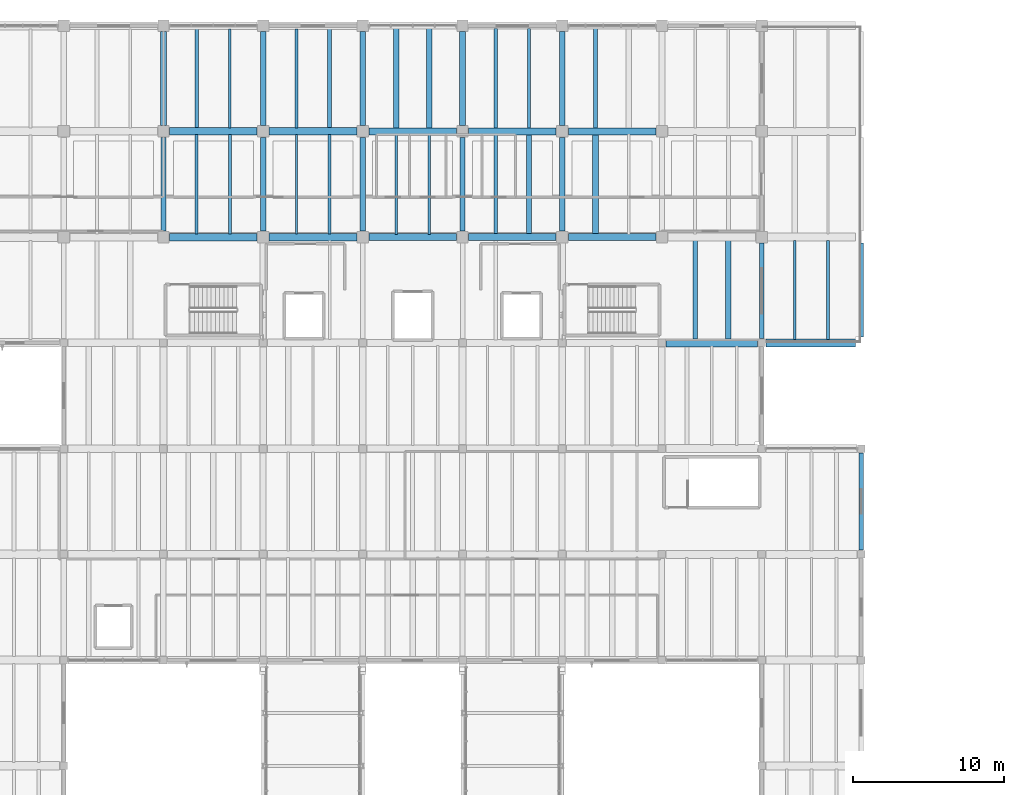
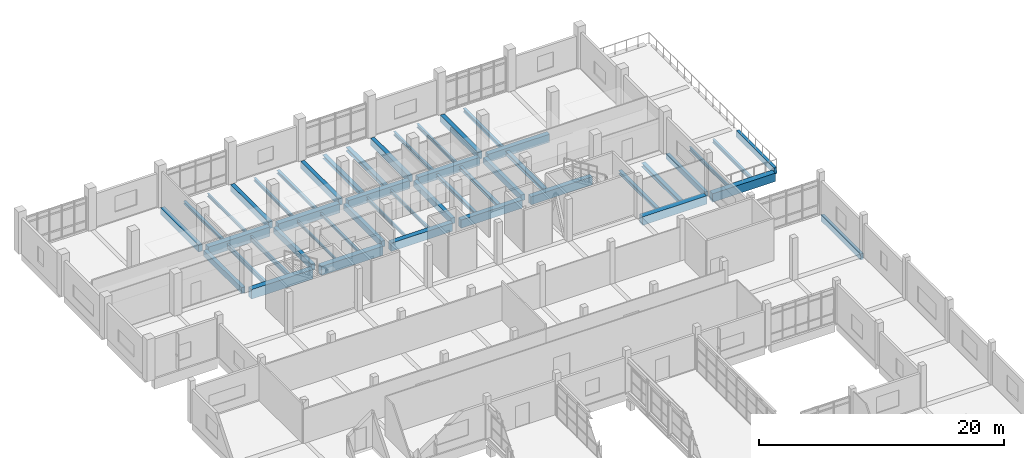
# One storey, part 31 of 65: 47 beams.
"""IFC4 building model written with IfcOpenShell, lengths in metres."""

import ifcopenshell
import ifcopenshell.guid

model = None  # the IFC model being written
_history = None  # IfcOwnerHistory: only IFC2X3 demands one
_inside = {}  # id of a spatial element -> (the spatial element, [elements in it])
_under = {}  # id of a project, library or spatial element -> (it, [spatial elements below it])
_declared = {}  # id of a project -> (the project, [libraries it declares])
_typed = {}  # id of a type object -> (the type object, [elements of that type])
_made_of = {}  # id of a material, layer set ... -> (it, [elements and type objects made of it])


def new_model(schema):
    """Start an empty IFC model of exactly this schema.

    Asked for "IFC4X3", IfcOpenShell would pick the latest addendum, in which some entities
    have other attributes; the version numbers below select the first issue.
    IFC2X3 requires an IfcOwnerHistory on every rooted entity: one is made here for all.
    """
    global model, _history
    if schema == "IFC4X3":
        model = ifcopenshell.file(schema_version=(4, 3, 0, 0))
    else:
        model = ifcopenshell.file(schema=schema)
    _inside.clear()
    _under.clear()
    _declared.clear()
    _typed.clear()
    _made_of.clear()
    _history = None
    if model.schema == "IFC2X3":
        org = make("IfcOrganization", Name="unknown")
        user = make(
            "IfcPersonAndOrganization",
            ThePerson=make("IfcPerson", FamilyName="unknown"),
            TheOrganization=org,
        )
        app = make(
            "IfcApplication",
            ApplicationDeveloper=org,
            Version="unknown",
            ApplicationFullName="unknown",
            ApplicationIdentifier="unknown",
        )
        _history = make(
            "IfcOwnerHistory",
            OwningUser=user,
            OwningApplication=app,
            ChangeAction="ADDED",
            CreationDate=0,
        )
    return model


def make(cls, **values):
    """One entity of the class cls with the attributes given. An attribute that is None is left unset."""
    return model.create_entity(
        cls, **{name: value for name, value in values.items() if value is not None}
    )


def rooted(cls, **values):
    """An entity with a GlobalId (a new one), such as an element, a storey or a relation."""
    return make(cls, GlobalId=ifcopenshell.guid.new(), OwnerHistory=_history, **values)


def si_unit(unit_type, name, prefix=None):
    """IfcSIUnit, for example si_unit("LENGTHUNIT", "METRE", prefix="MILLI")."""
    return make("IfcSIUnit", UnitType=unit_type, Prefix=prefix, Name=name)


def assignment(units):
    """IfcUnitAssignment: the units of a project."""
    return None if units is None else make("IfcUnitAssignment", Units=units)


def point(xyz):
    """IfcCartesianPoint."""
    return None if xyz is None else make("IfcCartesianPoint", Coordinates=xyz)


def direction(xyz):
    """IfcDirection."""
    return None if xyz is None else make("IfcDirection", DirectionRatios=xyz)


def frame(location, z_axis=None, x_axis=None):
    """IfcAxis2Placement3D, a coordinate frame: its origin and axes. An axis left out is left unset."""
    return make(
        "IfcAxis2Placement3D",
        Location=point(location),
        Axis=direction(z_axis),
        RefDirection=direction(x_axis),
    )


def frame_2d(location, x_axis=None):
    """IfcAxis2Placement2D, a coordinate frame in the plane: its origin and x axis."""
    return make(
        "IfcAxis2Placement2D", Location=point(location), RefDirection=direction(x_axis)
    )


def origin():
    """The frame at (0, 0, 0) with its axes left unset."""
    return frame((0.0, 0.0, 0.0))


def origin_2d():
    """The frame at (0, 0) in the plane with its x axis left unset."""
    return frame_2d((0.0, 0.0))


def place(relative_to, where):
    """IfcLocalPlacement: puts the frame where relative to a parent placement (None: the world)."""
    return make(
        "IfcLocalPlacement", PlacementRelTo=relative_to, RelativePlacement=where
    )


def context(
    kind, dimensions, precision=None, world=None, true_north=None, identifier=None
):
    """IfcGeometricRepresentationContext, for example the 3D "Model" context."""
    return make(
        "IfcGeometricRepresentationContext",
        ContextIdentifier=identifier,
        ContextType=kind,
        CoordinateSpaceDimension=dimensions,
        Precision=precision,
        WorldCoordinateSystem=world,
        TrueNorth=true_north,
    )


def subcontext(parent, identifier, kind, view, scale=None):
    """IfcGeometricRepresentationSubContext, for example "Body" below "Model"."""
    return make(
        "IfcGeometricRepresentationSubContext",
        ContextIdentifier=identifier,
        ContextType=kind,
        ParentContext=parent,
        TargetScale=scale,
        TargetView=view,
    )


def project(units=None, contexts=None):
    """IfcProject with its units and contexts."""
    return rooted(
        "IfcProject",
        Name="project",
        RepresentationContexts=contexts,
        UnitsInContext=assignment(units),
    )


def spatial(cls, under=None, at=None, **own):
    """A site, building, storey or space (cls), placed at a placement, below another one or the project."""
    s = rooted(cls, ObjectPlacement=at, **own)
    if under is not None:
        _under.setdefault(under.id(), (under, []))[1].append(s)
    return s


def profile(cls, at=None, kind="AREA", **sizes):
    """A parametric profile (cls). Its sizes go by their IFC names, for example OverallWidth=200.0."""
    return make(cls, ProfileType=kind, Position=at, **sizes)


def rectangle(**sizes):
    """IfcRectangleProfileDef."""
    return profile("IfcRectangleProfileDef", **sizes)


def i_section(**sizes):
    """IfcIShapeProfileDef."""
    return profile("IfcIShapeProfileDef", **sizes)


def extrude(swept, where, along, depth):
    """IfcExtrudedAreaSolid: the profile swept, set in the frame where, extruded along a direction by depth."""
    return make(
        "IfcExtrudedAreaSolid",
        SweptArea=swept,
        Position=where,
        ExtrudedDirection=direction(along),
        Depth=depth,
    )


def shape(context_of_items, identifier, shape_type, items):
    """IfcShapeRepresentation: the items that make up one representation, for example the "Body"."""
    return make(
        "IfcShapeRepresentation",
        ContextOfItems=context_of_items,
        RepresentationIdentifier=identifier,
        RepresentationType=shape_type,
        Items=items,
    )


def material(Name=None, Category=None):
    """IfcMaterial."""
    return make("IfcMaterial", Name=Name, Category=Category)


def material_profile(
    of_material, cross_section, Name=None, Category=None, Priority=None
):
    """IfcMaterialProfile: a cross section and its material."""
    return make(
        "IfcMaterialProfile",
        Name=Name,
        Material=of_material,
        Profile=cross_section,
        Priority=Priority,
        Category=Category,
    )


def profile_set(profiles, Name=None, composite=None):
    """IfcMaterialProfileSet."""
    return make(
        "IfcMaterialProfileSet",
        Name=Name,
        MaterialProfiles=profiles,
        CompositeProfile=composite,
    )


def made_of(thing, what):
    """Note that an element or type object is made of a material, layer set ...; save() writes the relation."""
    if what is not None:
        _made_of.setdefault(what.id(), (what, []))[1].append(thing)
    return thing


def type_object(cls, material=None, **own):
    """A type object (cls), such as IfcWallType, which elements share."""
    return made_of(rooted(cls, **own), material)


def element(
    cls,
    number,
    at=None,
    inside=None,
    cuts=None,
    type_object=None,
    material=None,
    context=None,
    identifier="Body",
    shape_type=None,
    held_by="IfcProductDefinitionShape",
    body=None,
    shapes=None,
    **own,
):
    """One element of the class cls, such as IfcWall. Its Tag is "e" and its number.

    at: its placement. inside: the storey or other place that contains it. cuts: it is an
    opening in that element (IfcRelVoidsElement). A single representation is given by context,
    identifier, shape_type and body (its items); several are given by shapes. held_by: the class
    of the entity that holds the representations. save() writes the other relations.
    """
    e = rooted(cls, Tag="e%d" % number, ObjectPlacement=at, **own)
    if body is not None:
        shapes = [shape(context, identifier, shape_type, body)]
    if shapes is not None:
        e.Representation = make(held_by, Representations=shapes)
    if inside is not None:
        _inside.setdefault(inside.id(), (inside, []))[1].append(e)
    if cuts is not None:
        rooted(
            "IfcRelVoidsElement", RelatingBuildingElement=cuts, RelatedOpeningElement=e
        )
    if type_object is not None:
        _typed.setdefault(type_object.id(), (type_object, []))[1].append(e)
    return made_of(e, material)


def aggregate(whole, parts):
    """IfcRelAggregates: a whole, such as a stair, and the parts it consists of."""
    return rooted("IfcRelAggregates", RelatingObject=whole, RelatedObjects=parts)


def save(model, path):
    """Write the relations noted so far, then the file.

    IfcRelAggregates (storeys below a building ...), IfcRelContainedInSpatialStructure (elements
    in a storey), IfcRelDefinesByType, IfcRelAssociatesMaterial and IfcRelDeclares: one each for
    every whole, place, type object, material and project.
    """
    for whole, parts in _under.values():
        aggregate(whole, parts)
    for where, things in _inside.values():
        rooted(
            "IfcRelContainedInSpatialStructure",
            RelatedElements=things,
            RelatingStructure=where,
        )
    for kind, things in _typed.values():
        rooted("IfcRelDefinesByType", RelatedObjects=things, RelatingType=kind)
    for what, things in _made_of.values():
        rooted("IfcRelAssociatesMaterial", RelatedObjects=things, RelatingMaterial=what)
    for by, libraries in _declared.values():
        rooted("IfcRelDeclares", RelatingContext=by, RelatedDefinitions=libraries)
    model.write(path)


model = new_model("IFC4")

# Units and contexts
model_context = context("Model", 3, precision=1e-05, world=origin(), true_north=direction((0.0, 1.0)))
body_context = subcontext(model_context, "Body", "Model", "MODEL_VIEW")
ifc_project = project(units=[si_unit("LENGTHUNIT", "METRE"), si_unit("AREAUNIT", "SQUARE_METRE"), si_unit("VOLUMEUNIT", "CUBIC_METRE"), si_unit("PLANEANGLEUNIT", "RADIAN"), si_unit("MASSUNIT", "GRAM", prefix="KILO")], contexts=[model_context])

# Site, building, storey
site_placement = place(None, origin())
site = spatial("IfcSite", under=ifc_project, at=site_placement, CompositionType="ELEMENT")
building_placement = place(site_placement, origin())
building = spatial("IfcBuilding", under=site, at=building_placement, Name="Ciguamira Faculty of Natural Sciences", CompositionType="ELEMENT")
storey_placement = place(building_placement, frame((0.0, 0.0, 12.60009765625)))
storey = spatial("IfcBuildingStorey", under=building, at=storey_placement, Name="L03", CompositionType="ELEMENT", Elevation=12.60009765625)

# Beams
ifc_material_1 = material(Name="Concrete C40/50", Category="concrete")
ifc_material_profile_1 = material_profile(ifc_material_1, rectangle(XDim=0.5, YDim=0.949951171875, at=origin_2d()), Name="RC-BM-500X950")
ifc_profile_set_1 = profile_set([ifc_material_profile_1], Name="Concrete C40/50")
beam_type_1 = type_object("IfcBeamType", Name="RCBeam_BG-02_RC-BM-500X950", PredefinedType="BEAM", material=ifc_profile_set_1)
for number, where, z_axis, x_axis, name in (
    (1, (70.89990234375, 101.0, -0.47509765625), (1.0, 0.0, 0.0), (0.0, 1.0, 0.0), "L03 RC girder EW-1158"),
    (2, (70.89990234375, 108.0, -0.47509765625), (1.0, 0.0, 0.0), (0.0, 1.0, 0.0), "L03 RC girder EW-1167"),
):
    element("IfcBeam", number, at=place(storey_placement, frame(where, z_axis=z_axis, x_axis=x_axis)), inside=storey, type_object=beam_type_1, Name=name, PredefinedType="BEAM", context=body_context, shape_type="SweptSolid", body=[
        extrude(rectangle(XDim=0.5, YDim=0.949951171875, at=origin_2d()), origin(), (0.0, 0.0, 1.0), 5.800048828125),
    ])
ifc_material_profile_2 = material_profile(ifc_material_1, rectangle(XDim=0.5, YDim=0.89990234375, at=origin_2d()), Name="RC-BM-500X900")
ifc_profile_set_2 = profile_set([ifc_material_profile_2], Name="Concrete C40/50")
beam_type_2 = type_object("IfcBeamType", Name="RCBeam_BG-03_RC-BM-500X900", PredefinedType="BEAM", material=ifc_profile_set_2)
for number, where, z_axis, x_axis, name in (
    (3, (77.5, 101.0, -0.4501953125), (1.0, 0.0, 0.0), (0.0, 1.0, 0.0), "L03 RC girder EW-1159"),
    (4, (77.5, 108.0, -0.4501953125), (1.0, 0.0, 0.0), (0.0, 1.0, 0.0), "L03 RC girder EW-1168"),
):
    element("IfcBeam", number, at=place(storey_placement, frame(where, z_axis=z_axis, x_axis=x_axis)), inside=storey, type_object=beam_type_2, Name=name, PredefinedType="BEAM", context=body_context, shape_type="SweptSolid", body=[
        extrude(rectangle(XDim=0.5, YDim=0.89990234375, at=origin_2d()), origin(), (0.0, 0.0, 1.0), 5.800048828125),
    ])
ifc_material_profile_3 = material_profile(ifc_material_1, rectangle(XDim=0.4599609375, YDim=0.820068359375, at=origin_2d()), Name="RC-BM-460X820")
ifc_profile_set_3 = profile_set([ifc_material_profile_3], Name="Concrete C40/50")
beam_type_3 = type_object("IfcBeamType", Name="RCBeam_BG-04_RC-BM-460X820", PredefinedType="BEAM", material=ifc_profile_set_3)
beam_1_placement = place(storey_placement, frame((84.10009765625, 101.0, -0.41015625), z_axis=(1.0, 0.0, 0.0), x_axis=(0.0, 1.0, 0.0)))
element("IfcBeam", 5, at=beam_1_placement, inside=storey, type_object=beam_type_3, Name="L03 RC girder EW-1160", PredefinedType="BEAM", context=body_context, shape_type="SweptSolid", body=[
    extrude(rectangle(XDim=0.4599609375, YDim=0.820068359375, at=origin_2d()), origin(), (0.0, 0.0, 1.0), 5.7998046875),
])
beam_2_placement = place(storey_placement, frame((90.699951171875, 101.0, -0.41015625), z_axis=(1.0, 0.0, 0.0), x_axis=(0.0, 1.0, 0.0)))
element("IfcBeam", 6, at=beam_2_placement, inside=storey, type_object=beam_type_3, Name="L03 RC girder EW-1161", PredefinedType="BEAM", context=body_context, shape_type="SweptSolid", body=[
    extrude(rectangle(XDim=0.4599609375, YDim=0.820068359375, at=origin_2d()), origin(), (0.0, 0.0, 1.0), 5.800048828125),
])
beam_3_placement = place(storey_placement, frame((84.10009765625, 108.0, -0.41015625), z_axis=(1.0, 0.0, 0.0), x_axis=(0.0, 1.0, 0.0)))
element("IfcBeam", 7, at=beam_3_placement, inside=storey, type_object=beam_type_3, Name="L03 RC girder EW-1169", PredefinedType="BEAM", context=body_context, shape_type="SweptSolid", body=[
    extrude(rectangle(XDim=0.4599609375, YDim=0.820068359375, at=origin_2d()), origin(), (0.0, 0.0, 1.0), 5.7998046875),
])
beam_4_placement = place(storey_placement, frame((90.699951171875, 108.0, -0.41015625), z_axis=(1.0, 0.0, 0.0), x_axis=(0.0, 1.0, 0.0)))
element("IfcBeam", 8, at=beam_4_placement, inside=storey, type_object=beam_type_3, Name="L03 RC girder EW-1170", PredefinedType="BEAM", context=body_context, shape_type="SweptSolid", body=[
    extrude(rectangle(XDim=0.4599609375, YDim=0.820068359375, at=origin_2d()), origin(), (0.0, 0.0, 1.0), 5.800048828125),
])
ifc_material_profile_4 = material_profile(ifc_material_1, rectangle(XDim=0.449951171875, YDim=0.800048828125, at=origin_2d()), Name="RC-BM-450X800")
ifc_profile_set_4 = profile_set([ifc_material_profile_4], Name="Concrete C40/50")
beam_type_4 = type_object("IfcBeamType", Name="RCBeam_BG-05_RC-BM-450X800", PredefinedType="BEAM", material=ifc_profile_set_4)
for number, where, z_axis, x_axis, name in (
    (9, (97.300048828125, 101.0, -0.400146484375), (1.0, 0.0, 0.0), (0.0, 1.0, 0.0), "L03 RC girder EW-1162"),
    (10, (97.300048828125, 108.0, -0.400146484375), (1.0, 0.0, 0.0), (0.0, 1.0, 0.0), "L03 RC girder EW-1171"),
):
    element("IfcBeam", number, at=place(storey_placement, frame(where, z_axis=z_axis, x_axis=x_axis)), inside=storey, type_object=beam_type_4, Name=name, PredefinedType="BEAM", context=body_context, shape_type="SweptSolid", body=[
        extrude(rectangle(XDim=0.449951171875, YDim=0.800048828125, at=origin_2d()), origin(), (0.0, 0.0, 1.0), 5.800048828125),
    ])
ifc_material_profile_5 = material_profile(ifc_material_1, rectangle(XDim=0.3798828125, YDim=0.679931640625, at=origin_2d()), Name="RC-BM-380X680")
ifc_profile_set_5 = profile_set([ifc_material_profile_5], Name="Concrete C40/50")
beam_type_5 = type_object("IfcBeamType", Name="RCBeam_BG-09_RC-BM-380X680", PredefinedType="BEAM", material=ifc_profile_set_5)
for number, where, z_axis, x_axis, name in (
    (11, (70.5, 108.39990234375, -0.340087890625), (0.0, 1.0, 0.0), (-1.0, 0.0, 0.0), "L03 girder NS-1240"),
    (12, (77.10009765625, 108.39990234375, -0.340087890625), (0.0, 1.0, 0.0), (-1.0, 0.0, 0.0), "L03 girder NS-1250"),
    (13, (83.699951171875, 108.39990234375, -0.340087890625), (0.0, 1.0, 0.0), (-1.0, 0.0, 0.0), "L03 girder NS-1261"),
    (14, (90.300048828125, 108.39990234375, -0.340087890625), (0.0, 1.0, 0.0), (-1.0, 0.0, 0.0), "L03 girder NS-1272"),
    (15, (96.89990234375, 108.39990234375, -0.340087890625), (0.0, 1.0, 0.0), (-1.0, 0.0, 0.0), "L03 girder NS-1282"),
):
    element("IfcBeam", number, at=place(storey_placement, frame(where, z_axis=z_axis, x_axis=x_axis)), inside=storey, type_object=beam_type_5, Name=name, PredefinedType="BEAM", context=body_context, shape_type="SweptSolid", body=[
        extrude(rectangle(XDim=0.3798828125, YDim=0.679931640625, at=origin_2d()), origin(), (0.0, 0.0, 1.0), 6.2001953125),
    ])
ifc_material_profile_6 = material_profile(ifc_material_1, rectangle(XDim=0.35009765625, YDim=0.60009765625, at=origin_2d()), Name="RC-BM-350X600")
ifc_profile_set_6 = profile_set([ifc_material_profile_6], Name="Concrete C40/50")
beam_type_6 = type_object("IfcBeamType", Name="RCBeam_BG-11_RC-BM-350X600", PredefinedType="BEAM", material=ifc_profile_set_6)
for number, where, z_axis, x_axis, name in (
    (16, (70.5, 101.39990234375, -0.300048828125), (0.0, 1.0, 0.0), (-1.0, 0.0, 0.0), "L03 girder NS-1239"),
    (17, (77.10009765625, 101.39990234375, -0.300048828125), (0.0, 1.0, 0.0), (-1.0, 0.0, 0.0), "L03 girder NS-1249"),
    (18, (83.699951171875, 101.39990234375, -0.300048828125), (0.0, 1.0, 0.0), (-1.0, 0.0, 0.0), "L03 girder NS-1260"),
    (19, (90.300048828125, 101.39990234375, -0.300048828125), (0.0, 1.0, 0.0), (-1.0, 0.0, 0.0), "L03 girder NS-1271"),
    (20, (96.89990234375, 101.39990234375, -0.300048828125), (0.0, 1.0, 0.0), (-1.0, 0.0, 0.0), "L03 girder NS-1281"),
):
    element("IfcBeam", number, at=place(storey_placement, frame(where, z_axis=z_axis, x_axis=x_axis)), inside=storey, type_object=beam_type_6, Name=name, PredefinedType="BEAM", context=body_context, shape_type="SweptSolid", body=[
        extrude(rectangle(XDim=0.35009765625, YDim=0.60009765625, at=origin_2d()), origin(), (0.0, 0.0, 1.0), 6.2001953125),
    ])
ifc_material_profile_7 = material_profile(ifc_material_1, rectangle(XDim=0.300048828125, YDim=0.52001953125, at=origin_2d()), Name="RC-BM-300X520")
ifc_profile_set_7 = profile_set([ifc_material_profile_7], Name="Concrete C40/50")
beam_type_7 = type_object("IfcBeamType", Name="RCBeam_BG-13_RC-BM-300X520", PredefinedType="BEAM", material=ifc_profile_set_7)
beam_5_placement = place(storey_placement, frame((110.10009765625, 94.27490234375, -0.260009765625), z_axis=(0.0, 1.0, 0.0), x_axis=(-1.0, 0.0, 0.0)))
element("IfcBeam", 21, at=beam_5_placement, inside=storey, type_object=beam_type_7, Name="L03 girder NS-1304", PredefinedType="BEAM", context=body_context, shape_type="SweptSolid", body=[
    extrude(rectangle(XDim=0.300048828125, YDim=0.52001953125, at=origin_2d()), origin(), (0.0, 0.0, 1.0), 6.3251953125),
])
ifc_material_2 = material(Name="Precast concrete C40/50", Category="concrete")
ifc_material_profile_8 = material_profile(ifc_material_2, rectangle(XDim=0.280029296875, YDim=0.6201171875, at=origin_2d()), Name="RC-SP-280X620")
ifc_profile_set_8 = profile_set([ifc_material_profile_8], Name="Precast concrete C40/50")
beam_type_8 = type_object("IfcBeamType", Name="RCBeam_SP-01_RC-SP-280X620", PredefinedType="SPANDREL", material=ifc_profile_set_8)
beam_6_placement = place(storey_placement, frame((116.699951171875, 80.27490234375, -0.31005859375), z_axis=(0.0, 1.0, 0.0), x_axis=(-1.0, 0.0, 0.0)))
element("IfcBeam", 22, at=beam_6_placement, inside=storey, type_object=beam_type_8, Name="L03 girder NS-1315", PredefinedType="SPANDREL", context=body_context, shape_type="SweptSolid", body=[
    extrude(rectangle(XDim=0.280029296875, YDim=0.6201171875, at=origin_2d()), origin(), (0.0, 0.0, 1.0), 6.4501953125),
])
beam_7_placement = place(storey_placement, frame((116.699951171875, 94.39990234375, -0.31005859375), z_axis=(0.0, 1.0, 0.0), x_axis=(-1.0, 0.0, 0.0)))
element("IfcBeam", 23, at=beam_7_placement, inside=storey, type_object=beam_type_8, Name="L03 girder NS-1316", PredefinedType="SPANDREL", context=body_context, shape_type="SweptSolid", body=[
    extrude(rectangle(XDim=0.280029296875, YDim=0.6201171875, at=origin_2d()), origin(), (0.0, 0.0, 1.0), 6.2001953125),
])
ifc_material_profile_9 = material_profile(ifc_material_1, rectangle(XDim=0.52001953125, YDim=0.840087890625, at=origin_2d()), Name="RC-TB-520X840")
ifc_profile_set_9 = profile_set([ifc_material_profile_9], Name="Concrete C40/50")
beam_type_9 = type_object("IfcBeamType", Name="RCBeam_TB-02_RC-TB-520X840", PredefinedType="T_BEAM", material=ifc_profile_set_9)
beam_8_placement = place(storey_placement, frame((103.77490234375, 94.0, -0.420166015625), z_axis=(1.0, 0.0, 0.0), x_axis=(0.0, 1.0, 0.0)))
element("IfcBeam", 24, at=beam_8_placement, inside=storey, type_object=beam_type_9, Name="L03 RC girder EW-1154", PredefinedType="T_BEAM", context=body_context, shape_type="SweptSolid", body=[
    extrude(rectangle(XDim=0.52001953125, YDim=0.840087890625, at=origin_2d()), origin(), (0.0, 0.0, 1.0), 6.050048828125),
])
beam_9_placement = place(storey_placement, frame((110.375, 94.0, -0.420166015625), z_axis=(1.0, 0.0, 0.0), x_axis=(0.0, 1.0, 0.0)))
element("IfcBeam", 25, at=beam_9_placement, inside=storey, type_object=beam_type_9, Name="L03 RC girder EW-1155", PredefinedType="T_BEAM", context=body_context, shape_type="SweptSolid", body=[
    extrude(rectangle(XDim=0.52001953125, YDim=0.840087890625, at=origin_2d()), origin(), (0.0, 0.0, 1.0), 5.925048828125),
])
ifc_material_3 = material(Name="Steel ASTM A992 Grade 50", Category="steel")
ifc_material_profile_10 = material_profile(ifc_material_3, i_section(OverallWidth=0.14599609375, OverallDepth=0.259033203125, WebThickness=0.006103515625, FlangeThickness=0.009033203125, at=origin_2d()), Name="W10X22")
ifc_profile_set_10 = profile_set([ifc_material_profile_10], Name="Steel ASTM A992 Grade 50")
beam_type_10 = type_object("IfcBeamType", Name="SteelJoist_SJ-01_W10X22", PredefinedType="JOIST", material=ifc_profile_set_10)
beam_10_placement = place(storey_placement, frame((79.300048828125, 101.2099609375, -0.36962890625), z_axis=(0.0, 1.0, 0.0), x_axis=(-1.0, 0.0, 0.0)))
element("IfcBeam", 26, at=beam_10_placement, inside=storey, type_object=beam_type_10, Name="L03 composite steel joist 01124", PredefinedType="JOIST", context=body_context, shape_type="SweptSolid", body=[
    extrude(i_section(OverallWidth=0.14599609375, OverallDepth=0.259033203125, WebThickness=0.006103515625, FlangeThickness=0.009033203125, at=origin_2d()), origin(), (0.0, 0.0, 1.0), 6.580078125),
])
ifc_material_profile_11 = material_profile(ifc_material_3, i_section(OverallWidth=0.2021484375, OverallDepth=0.2470703125, WebThickness=0.00732421875, FlangeThickness=0.010986328125, at=origin_2d()), Name="W10X33")
ifc_profile_set_11 = profile_set([ifc_material_profile_11], Name="Steel ASTM A992 Grade 50")
beam_type_11 = type_object("IfcBeamType", Name="SteelJoist_SJ-02_W10X33", PredefinedType="JOIST", material=ifc_profile_set_11)
beam_11_placement = place(storey_placement, frame((81.5, 101.2099609375, -0.36376953125), z_axis=(0.0, 1.0, 0.0), x_axis=(-1.0, 0.0, 0.0)))
element("IfcBeam", 27, at=beam_11_placement, inside=storey, type_object=beam_type_11, Name="L03 composite steel joist 01125", PredefinedType="JOIST", context=body_context, shape_type="SweptSolid", body=[
    extrude(i_section(OverallWidth=0.2021484375, OverallDepth=0.2470703125, WebThickness=0.00732421875, FlangeThickness=0.010986328125, at=origin_2d()), origin(), (0.0, 0.0, 1.0), 6.580078125),
])
ifc_material_profile_12 = material_profile(ifc_material_3, i_section(OverallWidth=0.25390625, OverallDepth=0.25390625, WebThickness=0.008544921875, FlangeThickness=0.01416015625, at=origin_2d()), Name="W10X49")
ifc_profile_set_12 = profile_set([ifc_material_profile_12], Name="Steel ASTM A992 Grade 50")
beam_type_12 = type_object("IfcBeamType", Name="SteelJoist_SJ-03_W10X49", PredefinedType="JOIST", material=ifc_profile_set_12)
beam_12_placement = place(storey_placement, frame((72.699951171875, 108.2099609375, -0.3671875), z_axis=(0.0, 1.0, 0.0), x_axis=(-1.0, 0.0, 0.0)))
element("IfcBeam", 28, at=beam_12_placement, inside=storey, type_object=beam_type_12, Name="L03 composite steel joist 01100", PredefinedType="JOIST", context=body_context, shape_type="SweptSolid", body=[
    extrude(i_section(OverallWidth=0.25390625, OverallDepth=0.25390625, WebThickness=0.008544921875, FlangeThickness=0.01416015625, at=origin_2d()), origin(), (0.0, 0.0, 1.0), 6.580078125),
])
ifc_material_profile_13 = material_profile(ifc_material_3, i_section(OverallWidth=0.164794921875, OverallDepth=0.309814453125, WebThickness=0.005859375, FlangeThickness=0.009765625, at=origin_2d()), Name="W12X26")
ifc_profile_set_13 = profile_set([ifc_material_profile_13], Name="Steel ASTM A992 Grade 50")
beam_type_13 = type_object("IfcBeamType", Name="SteelJoist_SJ-04_W12X26", PredefinedType="JOIST", material=ifc_profile_set_13)
beam_13_placement = place(storey_placement, frame((74.89990234375, 108.2099609375, -0.39501953125), z_axis=(0.0, 1.0, 0.0), x_axis=(-1.0, 0.0, 0.0)))
element("IfcBeam", 29, at=beam_13_placement, inside=storey, type_object=beam_type_13, Name="L03 composite steel joist 01101", PredefinedType="JOIST", context=body_context, shape_type="SweptSolid", body=[
    extrude(i_section(OverallWidth=0.164794921875, OverallDepth=0.309814453125, WebThickness=0.005859375, FlangeThickness=0.009765625, at=origin_2d()), origin(), (0.0, 0.0, 1.0), 6.580078125),
])
beam_14_placement = place(storey_placement, frame((85.89990234375, 101.18994140625, -0.39501953125), z_axis=(0.0, 1.0, 0.0), x_axis=(-1.0, 0.0, 0.0)))
element("IfcBeam", 30, at=beam_14_placement, inside=storey, type_object=beam_type_13, Name="L03 composite steel joist 01149", PredefinedType="JOIST", context=body_context, shape_type="SweptSolid", body=[
    extrude(i_section(OverallWidth=0.164794921875, OverallDepth=0.309814453125, WebThickness=0.005859375, FlangeThickness=0.009765625, at=origin_2d()), origin(), (0.0, 0.0, 1.0), 6.6201171875),
])
ifc_material_profile_14 = material_profile(ifc_material_3, i_section(OverallWidth=0.16650390625, OverallDepth=0.3173828125, WebThickness=0.007568359375, FlangeThickness=0.01318359375, at=origin_2d()), Name="W12X35")
ifc_profile_set_14 = profile_set([ifc_material_profile_14], Name="Steel ASTM A992 Grade 50")
beam_type_14 = type_object("IfcBeamType", Name="SteelJoist_SJ-05_W12X35", PredefinedType="JOIST", material=ifc_profile_set_14)
beam_15_placement = place(storey_placement, frame((88.10009765625, 101.18994140625, -0.39892578125), z_axis=(0.0, 1.0, 0.0), x_axis=(-1.0, 0.0, 0.0)))
element("IfcBeam", 31, at=beam_15_placement, inside=storey, type_object=beam_type_14, Name="L03 composite steel joist 01150", PredefinedType="JOIST", context=body_context, shape_type="SweptSolid", body=[
    extrude(i_section(OverallWidth=0.16650390625, OverallDepth=0.3173828125, WebThickness=0.007568359375, FlangeThickness=0.01318359375, at=origin_2d()), origin(), (0.0, 0.0, 1.0), 6.6201171875),
])
ifc_material_profile_15 = material_profile(ifc_material_3, i_section(OverallWidth=0.20458984375, OverallDepth=0.307373046875, WebThickness=0.008544921875, FlangeThickness=0.0146484375, at=origin_2d()), Name="W12X45")
ifc_profile_set_15 = profile_set([ifc_material_profile_15], Name="Steel ASTM A992 Grade 50")
beam_type_15 = type_object("IfcBeamType", Name="SteelJoist_SJ-06_W12X45", PredefinedType="JOIST", material=ifc_profile_set_15)
beam_16_placement = place(storey_placement, frame((79.300048828125, 108.2099609375, -0.393798828125), z_axis=(0.0, 1.0, 0.0), x_axis=(-1.0, 0.0, 0.0)))
element("IfcBeam", 32, at=beam_16_placement, inside=storey, type_object=beam_type_15, Name="L03 composite steel joist 01126", PredefinedType="JOIST", context=body_context, shape_type="SweptSolid", body=[
    extrude(i_section(OverallWidth=0.20458984375, OverallDepth=0.307373046875, WebThickness=0.008544921875, FlangeThickness=0.0146484375, at=origin_2d()), origin(), (0.0, 0.0, 1.0), 6.580078125),
])
ifc_material_profile_16 = material_profile(ifc_material_3, i_section(OverallWidth=0.25390625, OverallDepth=0.307373046875, WebThickness=0.0087890625, FlangeThickness=0.0146484375, at=origin_2d()), Name="W12X53")
ifc_profile_set_16 = profile_set([ifc_material_profile_16], Name="Steel ASTM A992 Grade 50")
beam_type_16 = type_object("IfcBeamType", Name="SteelJoist_SJ-07_W12X53", PredefinedType="JOIST", material=ifc_profile_set_16)
beam_17_placement = place(storey_placement, frame((81.5, 108.2099609375, -0.393798828125), z_axis=(0.0, 1.0, 0.0), x_axis=(-1.0, 0.0, 0.0)))
element("IfcBeam", 33, at=beam_17_placement, inside=storey, type_object=beam_type_16, Name="L03 composite steel joist 01127", PredefinedType="JOIST", context=body_context, shape_type="SweptSolid", body=[
    extrude(i_section(OverallWidth=0.25390625, OverallDepth=0.307373046875, WebThickness=0.0087890625, FlangeThickness=0.0146484375, at=origin_2d()), origin(), (0.0, 0.0, 1.0), 6.580078125),
])
beam_18_placement = place(storey_placement, frame((92.5, 101.18994140625, -0.393798828125), z_axis=(0.0, 1.0, 0.0), x_axis=(-1.0, 0.0, 0.0)))
element("IfcBeam", 34, at=beam_18_placement, inside=storey, type_object=beam_type_16, Name="L03 composite steel joist 01175", PredefinedType="JOIST", context=body_context, shape_type="SweptSolid", body=[
    extrude(i_section(OverallWidth=0.25390625, OverallDepth=0.307373046875, WebThickness=0.0087890625, FlangeThickness=0.0146484375, at=origin_2d()), origin(), (0.0, 0.0, 1.0), 6.6201171875),
])
ifc_material_profile_17 = material_profile(ifc_material_3, i_section(OverallWidth=0.3046875, OverallDepth=0.307373046875, WebThickness=0.010009765625, FlangeThickness=0.015380859375, at=origin_2d()), Name="W12X65")
ifc_profile_set_17 = profile_set([ifc_material_profile_17], Name="Steel ASTM A992 Grade 50")
beam_type_17 = type_object("IfcBeamType", Name="SteelJoist_SJ-08_W12X65", PredefinedType="JOIST", material=ifc_profile_set_17)
beam_19_placement = place(storey_placement, frame((94.699951171875, 101.18994140625, -0.393798828125), z_axis=(0.0, 1.0, 0.0), x_axis=(-1.0, 0.0, 0.0)))
element("IfcBeam", 35, at=beam_19_placement, inside=storey, type_object=beam_type_17, Name="L03 composite steel joist 01176", PredefinedType="JOIST", context=body_context, shape_type="SweptSolid", body=[
    extrude(i_section(OverallWidth=0.3046875, OverallDepth=0.307373046875, WebThickness=0.010009765625, FlangeThickness=0.015380859375, at=origin_2d()), origin(), (0.0, 0.0, 1.0), 6.6201171875),
])
beam_20_placement = place(storey_placement, frame((105.699951171875, 94.219970703125, -0.393798828125), z_axis=(0.0, 1.0, 0.0), x_axis=(-1.0, 0.0, 0.0)))
element("IfcBeam", 36, at=beam_20_placement, inside=storey, type_object=beam_type_17, Name="L03 composite steel joist 01225", PredefinedType="JOIST", context=body_context, shape_type="SweptSolid", body=[
    extrude(i_section(OverallWidth=0.3046875, OverallDepth=0.307373046875, WebThickness=0.010009765625, FlangeThickness=0.015380859375, at=origin_2d()), origin(), (0.0, 0.0, 1.0), 6.56005859375),
])
ifc_material_profile_18 = material_profile(ifc_material_3, i_section(OverallWidth=0.370849609375, OverallDepth=0.36328125, WebThickness=0.013427734375, FlangeThickness=0.021728515625, at=origin_2d()), Name="W14X109")
ifc_profile_set_18 = profile_set([ifc_material_profile_18], Name="Steel ASTM A992 Grade 50")
beam_type_18 = type_object("IfcBeamType", Name="SteelJoist_SJ-09_W14X109", PredefinedType="JOIST", material=ifc_profile_set_18)
beam_21_placement = place(storey_placement, frame((85.89990234375, 108.18994140625, -0.421630859375), z_axis=(0.0, 1.0, 0.0), x_axis=(-1.0, 0.0, 0.0)))
element("IfcBeam", 37, at=beam_21_placement, inside=storey, type_object=beam_type_18, Name="L03 composite steel joist 01151", PredefinedType="JOIST", context=body_context, shape_type="SweptSolid", body=[
    extrude(i_section(OverallWidth=0.370849609375, OverallDepth=0.36328125, WebThickness=0.013427734375, FlangeThickness=0.021728515625, at=origin_2d()), origin(), (0.0, 0.0, 1.0), 6.6201171875),
])
beam_22_placement = place(storey_placement, frame((107.89990234375, 94.219970703125, -0.421630859375), z_axis=(0.0, 1.0, 0.0), x_axis=(-1.0, 0.0, 0.0)))
element("IfcBeam", 38, at=beam_22_placement, inside=storey, type_object=beam_type_18, Name="L03 composite steel joist 01226", PredefinedType="JOIST", context=body_context, shape_type="SweptSolid", body=[
    extrude(i_section(OverallWidth=0.370849609375, OverallDepth=0.36328125, WebThickness=0.013427734375, FlangeThickness=0.021728515625, at=origin_2d()), origin(), (0.0, 0.0, 1.0), 6.56005859375),
])
ifc_material_profile_19 = material_profile(ifc_material_3, i_section(OverallWidth=0.373291015625, OverallDepth=0.373291015625, WebThickness=0.016357421875, FlangeThickness=0.026123046875, at=origin_2d()), Name="W14X132")
ifc_profile_set_19 = profile_set([ifc_material_profile_19], Name="Steel ASTM A992 Grade 50")
beam_type_19 = type_object("IfcBeamType", Name="SteelJoist_SJ-10_W14X132", PredefinedType="JOIST", material=ifc_profile_set_19)
beam_23_placement = place(storey_placement, frame((88.10009765625, 108.18994140625, -0.4267578125), z_axis=(0.0, 1.0, 0.0), x_axis=(-1.0, 0.0, 0.0)))
element("IfcBeam", 39, at=beam_23_placement, inside=storey, type_object=beam_type_19, Name="L03 composite steel joist 01152", PredefinedType="JOIST", context=body_context, shape_type="SweptSolid", body=[
    extrude(i_section(OverallWidth=0.373291015625, OverallDepth=0.373291015625, WebThickness=0.016357421875, FlangeThickness=0.026123046875, at=origin_2d()), origin(), (0.0, 0.0, 1.0), 6.6201171875),
])
beam_24_placement = place(storey_placement, frame((99.10009765625, 101.18505859375, -0.4267578125), z_axis=(0.0, 1.0, 0.0), x_axis=(-1.0, 0.0, 0.0)))
element("IfcBeam", 40, at=beam_24_placement, inside=storey, type_object=beam_type_19, Name="L03 composite steel joist 01200", PredefinedType="JOIST", context=body_context, shape_type="SweptSolid", body=[
    extrude(i_section(OverallWidth=0.373291015625, OverallDepth=0.373291015625, WebThickness=0.016357421875, FlangeThickness=0.026123046875, at=origin_2d()), origin(), (0.0, 0.0, 1.0), 6.6298828125),
])
ifc_material_profile_20 = material_profile(ifc_material_3, i_section(OverallWidth=0.1708984375, OverallDepth=0.3505859375, WebThickness=0.0068359375, FlangeThickness=0.009765625, at=origin_2d()), Name="W14X30")
ifc_profile_set_20 = profile_set([ifc_material_profile_20], Name="Steel ASTM A992 Grade 50")
beam_type_20 = type_object("IfcBeamType", Name="SteelJoist_SJ-11_W14X30", PredefinedType="JOIST", material=ifc_profile_set_20)
beam_25_placement = place(storey_placement, frame((112.300048828125, 94.219970703125, -0.37548828125), z_axis=(0.0, 1.0, 0.0), x_axis=(-1.0, 0.0, 0.0)))
element("IfcBeam", 41, at=beam_25_placement, inside=storey, type_object=beam_type_20, Name="L03 composite steel joist 01255", PredefinedType="JOIST", context=body_context, shape_type="SweptSolid", body=[
    extrude(i_section(OverallWidth=0.1708984375, OverallDepth=0.3505859375, WebThickness=0.0068359375, FlangeThickness=0.009765625, at=origin_2d()), origin(), (0.0, 0.0, 1.0), 6.56005859375),
])
ifc_material_profile_21 = material_profile(ifc_material_3, i_section(OverallWidth=0.203125, OverallDepth=0.347900390625, WebThickness=0.0078125, FlangeThickness=0.013427734375, at=origin_2d()), Name="W14X43")
ifc_profile_set_21 = profile_set([ifc_material_profile_21], Name="Steel ASTM A992 Grade 50")
beam_type_21 = type_object("IfcBeamType", Name="SteelJoist_SJ-12_W14X43", PredefinedType="JOIST", material=ifc_profile_set_21)
beam_26_placement = place(storey_placement, frame((92.5, 108.18994140625, -0.4140625), z_axis=(0.0, 1.0, 0.0), x_axis=(-1.0, 0.0, 0.0)))
element("IfcBeam", 42, at=beam_26_placement, inside=storey, type_object=beam_type_21, Name="L03 composite steel joist 01177", PredefinedType="JOIST", context=body_context, shape_type="SweptSolid", body=[
    extrude(i_section(OverallWidth=0.203125, OverallDepth=0.347900390625, WebThickness=0.0078125, FlangeThickness=0.013427734375, at=origin_2d()), origin(), (0.0, 0.0, 1.0), 6.6201171875),
])
beam_27_placement = place(storey_placement, frame((114.5, 94.219970703125, -0.3740234375), z_axis=(0.0, 1.0, 0.0), x_axis=(-1.0, 0.0, 0.0)))
element("IfcBeam", 43, at=beam_27_placement, inside=storey, type_object=beam_type_21, Name="L03 composite steel joist 01256", PredefinedType="JOIST", context=body_context, shape_type="SweptSolid", body=[
    extrude(i_section(OverallWidth=0.203125, OverallDepth=0.347900390625, WebThickness=0.0078125, FlangeThickness=0.013427734375, at=origin_2d()), origin(), (0.0, 0.0, 1.0), 6.56005859375),
])
ifc_material_profile_22 = material_profile(ifc_material_3, i_section(OverallWidth=0.204833984375, OverallDepth=0.35302734375, WebThickness=0.00927734375, FlangeThickness=0.016845703125, at=origin_2d()), Name="W14X53")
ifc_profile_set_22 = profile_set([ifc_material_profile_22], Name="Steel ASTM A992 Grade 50")
beam_type_22 = type_object("IfcBeamType", Name="SteelJoist_SJ-13_W14X53", PredefinedType="JOIST", material=ifc_profile_set_22)
beam_28_placement = place(storey_placement, frame((94.699951171875, 108.18994140625, -0.41650390625), z_axis=(0.0, 1.0, 0.0), x_axis=(-1.0, 0.0, 0.0)))
element("IfcBeam", 44, at=beam_28_placement, inside=storey, type_object=beam_type_22, Name="L03 composite steel joist 01178", PredefinedType="JOIST", context=body_context, shape_type="SweptSolid", body=[
    extrude(i_section(OverallWidth=0.204833984375, OverallDepth=0.35302734375, WebThickness=0.00927734375, FlangeThickness=0.016845703125, at=origin_2d()), origin(), (0.0, 0.0, 1.0), 6.6201171875),
])
ifc_material_profile_23 = material_profile(ifc_material_3, i_section(OverallWidth=0.256591796875, OverallDepth=0.36328125, WebThickness=0.012939453125, FlangeThickness=0.021728515625, at=origin_2d()), Name="W14X82")
ifc_profile_set_23 = profile_set([ifc_material_profile_23], Name="Steel ASTM A992 Grade 50")
beam_type_23 = type_object("IfcBeamType", Name="SteelJoist_SJ-15_W14X82", PredefinedType="JOIST", material=ifc_profile_set_23)
beam_29_placement = place(storey_placement, frame((99.10009765625, 108.18505859375, -0.421630859375), z_axis=(0.0, 1.0, 0.0), x_axis=(-1.0, 0.0, 0.0)))
element("IfcBeam", 45, at=beam_29_placement, inside=storey, type_object=beam_type_23, Name="L03 composite steel joist 01202", PredefinedType="JOIST", context=body_context, shape_type="SweptSolid", body=[
    extrude(i_section(OverallWidth=0.256591796875, OverallDepth=0.36328125, WebThickness=0.012939453125, FlangeThickness=0.021728515625, at=origin_2d()), origin(), (0.0, 0.0, 1.0), 6.6298828125),
])
ifc_material_profile_24 = material_profile(ifc_material_3, i_section(OverallWidth=0.1904296875, OverallDepth=0.457275390625, WebThickness=0.009033203125, FlangeThickness=0.014404296875, at=origin_2d()), Name="W18X50")
ifc_profile_set_24 = profile_set([ifc_material_profile_24], Name="Steel ASTM A992 Grade 50")
beam_type_24 = type_object("IfcBeamType", Name="SteelJoist_SJ-23_W18X50", PredefinedType="JOIST", material=ifc_profile_set_24)
beam_30_placement = place(storey_placement, frame((72.699951171875, 101.2099609375, -0.46875), z_axis=(0.0, 1.0, 0.0), x_axis=(-1.0, 0.0, 0.0)))
element("IfcBeam", 46, at=beam_30_placement, inside=storey, type_object=beam_type_24, Name="L03 composite steel joist 01098", PredefinedType="JOIST", context=body_context, shape_type="SweptSolid", body=[
    extrude(i_section(OverallWidth=0.1904296875, OverallDepth=0.457275390625, WebThickness=0.009033203125, FlangeThickness=0.014404296875, at=origin_2d()), origin(), (0.0, 0.0, 1.0), 6.580078125),
])
ifc_material_profile_25 = material_profile(ifc_material_3, i_section(OverallWidth=0.19287109375, OverallDepth=0.46728515625, WebThickness=0.011474609375, FlangeThickness=0.01904296875, at=origin_2d()), Name="W18X65")
ifc_profile_set_25 = profile_set([ifc_material_profile_25], Name="Steel ASTM A992 Grade 50")
beam_type_25 = type_object("IfcBeamType", Name="SteelJoist_SJ-24_W18X65", PredefinedType="JOIST", material=ifc_profile_set_25)
beam_31_placement = place(storey_placement, frame((74.89990234375, 101.2099609375, -0.473876953125), z_axis=(0.0, 1.0, 0.0), x_axis=(-1.0, 0.0, 0.0)))
element("IfcBeam", 47, at=beam_31_placement, inside=storey, type_object=beam_type_25, Name="L03 composite steel joist 01099", PredefinedType="JOIST", context=body_context, shape_type="SweptSolid", body=[
    extrude(i_section(OverallWidth=0.19287109375, OverallDepth=0.46728515625, WebThickness=0.011474609375, FlangeThickness=0.01904296875, at=origin_2d()), origin(), (0.0, 0.0, 1.0), 6.580078125),
])

save(model, "model.ifc")
